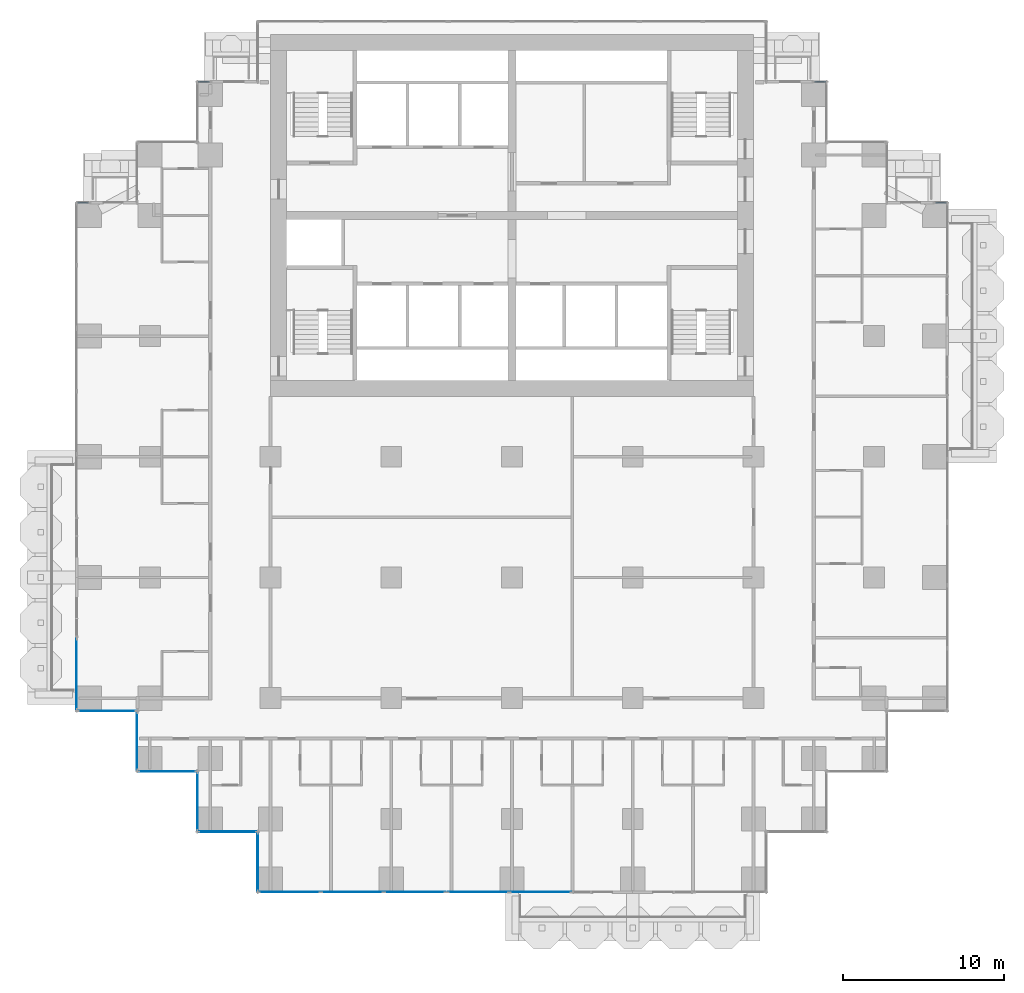
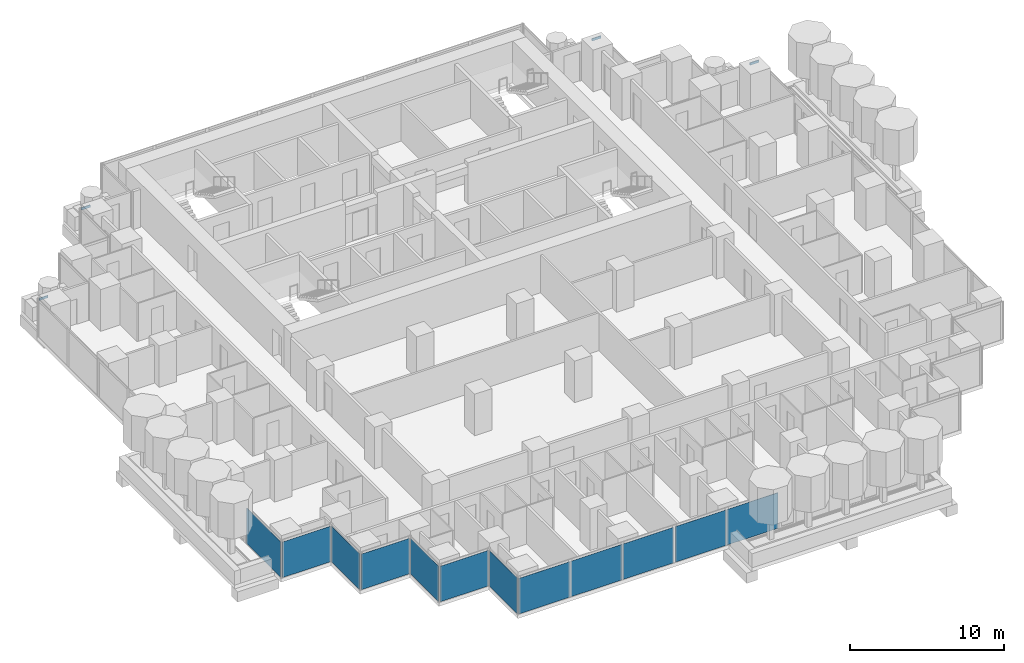
# One storey, part 7 of 19: 12 plates, 4 members, 13 elements without a shape of their own.
"""IFC4 building model written with IfcOpenShell, lengths in metres."""

from ifc_helpers import new_model, si_unit, direction, frame, origin, origin_2d, place, context, subcontext, project, spatial, rectangle, extrude, material, layer, layer_set, material_profile, profile_set, type_object, element, aggregate, save


model = new_model("IFC4")

# Units and contexts
model_context = context("Model", 3, precision=1e-05, world=origin(), true_north=direction((0.0, 1.0)))
body_context = subcontext(model_context, "Body", "Model", "MODEL_VIEW")
ifc_project = project(units=[si_unit("LENGTHUNIT", "METRE"), si_unit("AREAUNIT", "SQUARE_METRE"), si_unit("VOLUMEUNIT", "CUBIC_METRE"), si_unit("PLANEANGLEUNIT", "RADIAN"), si_unit("MASSUNIT", "GRAM", prefix="KILO")], contexts=[model_context])

# Site, building, storey
site_placement = place(None, origin())
site = spatial("IfcSite", under=ifc_project, at=site_placement, CompositionType="ELEMENT")
building_placement = place(site_placement, origin())
building = spatial("IfcBuilding", under=site, at=building_placement, Name="Pilkhan Gate Tower", CompositionType="ELEMENT")
storey_placement = place(building_placement, frame((0.0, 0.0, 72.5)))
storey = spatial("IfcBuildingStorey", under=building, at=storey_placement, Name="L16", CompositionType="ELEMENT", Elevation=72.5)

# Curtain wall, member
ifc_material_1 = material(Name="Pale anodised aluminium, clear low-iron double glazing", Category="aluminium")
curtain_wall_type = type_object("IfcCurtainWallType", Name="Hotel unitised curtain wall CW-H", PredefinedType="USERDEFINED", material=ifc_material_1)
curtain_wall_1_placement = place(storey_placement, origin())
curtain_wall_1 = element("IfcCurtainWall", 1, at=curtain_wall_1_placement, inside=storey, type_object=curtain_wall_type, Name="Hotel unitised curtain wall CW-H L16 N", ObjectType="UNITISED CURTAIN WALL", PredefinedType="USERDEFINED")
ifc_material_2 = material(Name="Pale anodised aluminium", Category="aluminium")
ifc_material_profile = material_profile(ifc_material_2, rectangle(XDim=0.06494140625, YDim=0.179931640625, at=origin_2d()), Name="Transom 180x65")
ifc_profile_set = profile_set([ifc_material_profile], Name="Pale anodised aluminium")
member_type = type_object("IfcMemberType", Name="Transom CW-H 180x65", PredefinedType="USERDEFINED", material=ifc_profile_set)
member_1_placement = place(storey_placement, frame((101.31494140625, 83.294921875, 2.909912109375), z_axis=(1.0, 0.0, 0.0), x_axis=(0.0, 1.0, 0.0)))
member_1 = element("IfcMember", 2, at=member_1_placement, type_object=member_type, Name="CW-H transom 1", ObjectType="TRANSOM", PredefinedType="USERDEFINED", context=body_context, shape_type="SweptSolid", body=[
    extrude(rectangle(XDim=0.06494140625, YDim=0.179931640625, at=origin_2d()), origin(), (0.0, 0.0, 1.0), 0.6650390625),
])
aggregate(curtain_wall_1, [member_1])

curtain_wall_2_placement = place(storey_placement, origin())
curtain_wall_2 = element("IfcCurtainWall", 3, at=curtain_wall_2_placement, inside=storey, type_object=curtain_wall_type, Name="Hotel unitised curtain wall CW-H L16 N", ObjectType="UNITISED CURTAIN WALL", PredefinedType="USERDEFINED")
member_2_placement = place(storey_placement, frame((93.81494140625, 90.794921875, 2.909912109375), z_axis=(1.0, 0.0, 0.0), x_axis=(0.0, 1.0, 0.0)))
member_2 = element("IfcMember", 4, at=member_2_placement, type_object=member_type, Name="CW-H transom 1", ObjectType="TRANSOM", PredefinedType="USERDEFINED", context=body_context, shape_type="SweptSolid", body=[
    extrude(rectangle(XDim=0.06494140625, YDim=0.179931640625, at=origin_2d()), origin(), (0.0, 0.0, 1.0), 0.6650390625),
])
aggregate(curtain_wall_2, [member_2])

curtain_wall_3_placement = place(storey_placement, origin())
curtain_wall_3 = element("IfcCurtainWall", 5, at=curtain_wall_3_placement, inside=storey, type_object=curtain_wall_type, Name="Hotel unitised curtain wall CW-H L16 N", ObjectType="UNITISED CURTAIN WALL", PredefinedType="USERDEFINED")
member_3_placement = place(storey_placement, frame((55.52001953125, 90.794921875, 2.909912109375), z_axis=(1.0, 0.0, 0.0), x_axis=(0.0, 1.0, 0.0)))
member_3 = element("IfcMember", 6, at=member_3_placement, type_object=member_type, Name="CW-H transom 1", ObjectType="TRANSOM", PredefinedType="USERDEFINED", context=body_context, shape_type="SweptSolid", body=[
    extrude(rectangle(XDim=0.06494140625, YDim=0.179931640625, at=origin_2d()), origin(), (0.0, 0.0, 1.0), 0.6650390625),
])
aggregate(curtain_wall_3, [member_3])

curtain_wall_4_placement = place(storey_placement, origin())
curtain_wall_4 = element("IfcCurtainWall", 7, at=curtain_wall_4_placement, inside=storey, type_object=curtain_wall_type, Name="Hotel unitised curtain wall CW-H L16 N", ObjectType="UNITISED CURTAIN WALL", PredefinedType="USERDEFINED")
member_4_placement = place(storey_placement, frame((48.02001953125, 83.294921875, 2.909912109375), z_axis=(1.0, 0.0, 0.0), x_axis=(0.0, 1.0, 0.0)))
member_4 = element("IfcMember", 8, at=member_4_placement, type_object=member_type, Name="CW-H transom 1", ObjectType="TRANSOM", PredefinedType="USERDEFINED", context=body_context, shape_type="SweptSolid", body=[
    extrude(rectangle(XDim=0.06494140625, YDim=0.179931640625, at=origin_2d()), origin(), (0.0, 0.0, 1.0), 0.6650390625),
])
aggregate(curtain_wall_4, [member_4])

# Curtain wall, plate
curtain_wall_5_placement = place(storey_placement, origin())
curtain_wall_5 = element("IfcCurtainWall", 9, at=curtain_wall_5_placement, inside=storey, type_object=curtain_wall_type, Name="Hotel unitised curtain wall CW-H L16 W", ObjectType="UNITISED CURTAIN WALL", PredefinedType="USERDEFINED")
ifc_material_3 = material(Name="Clear low-iron double glazing", Category="glass")
ifc_layer = layer(ifc_material_3, 0.035888671875)
ifc_layer_set = layer_set([ifc_layer], Name="Glass panel CW-H 36")
plate_type = type_object("IfcPlateType", Name="Glass panel CW-H 36", PredefinedType="CURTAIN_PANEL", material=ifc_layer_set)
plate_1_placement = place(storey_placement, frame((47.955078125, 53.9775390625, 0.0), z_axis=(0.0, 0.0, 1.0), x_axis=(0.0, 1.0, 0.0)))
plate_1 = element("IfcPlate", 10, at=plate_1_placement, type_object=plate_type, Name="CW-H panel 1", PredefinedType="CURTAIN_PANEL", context=body_context, shape_type="SweptSolid", body=[
    extrude(rectangle(XDim=4.4150390625, YDim=0.035888671875, at=origin_2d()), origin(), (0.0, 0.0, 1.0), 2.820068359375),
])
aggregate(curtain_wall_5, [plate_1])

curtain_wall_6_placement = place(storey_placement, origin())
curtain_wall_6 = element("IfcCurtainWall", 11, at=curtain_wall_6_placement, inside=storey, type_object=curtain_wall_type, Name="Hotel unitised curtain wall CW-H L16 S", ObjectType="UNITISED CURTAIN WALL", PredefinedType="USERDEFINED")
plate_2_placement = place(storey_placement, frame((49.830078125, 51.705078125, 0.0), z_axis=(0.0, 0.0, 1.0), x_axis=(1.0, 0.0, 0.0)))
plate_2 = element("IfcPlate", 12, at=plate_2_placement, type_object=plate_type, Name="CW-H panel 1", PredefinedType="CURTAIN_PANEL", context=body_context, shape_type="SweptSolid", body=[
    extrude(rectangle(XDim=3.6201171875, YDim=0.035888671875, at=origin_2d()), origin(), (0.0, 0.0, 1.0), 2.820068359375),
])
aggregate(curtain_wall_6, [plate_2])

curtain_wall_7_placement = place(storey_placement, origin())
curtain_wall_7 = element("IfcCurtainWall", 13, at=curtain_wall_7_placement, inside=storey, type_object=curtain_wall_type, Name="Hotel unitised curtain wall CW-H L16 W", ObjectType="UNITISED CURTAIN WALL", PredefinedType="USERDEFINED")
plate_3_placement = place(storey_placement, frame((51.705078125, 49.830078125, 0.0), z_axis=(0.0, 0.0, 1.0), x_axis=(0.0, 1.0, 0.0)))
plate_3 = element("IfcPlate", 14, at=plate_3_placement, type_object=plate_type, Name="CW-H panel 1", PredefinedType="CURTAIN_PANEL", context=body_context, shape_type="SweptSolid", body=[
    extrude(rectangle(XDim=3.6201171875, YDim=0.035888671875, at=origin_2d()), origin(), (0.0, 0.0, 1.0), 2.820068359375),
])
aggregate(curtain_wall_7, [plate_3])

curtain_wall_8_placement = place(storey_placement, origin())
curtain_wall_8 = element("IfcCurtainWall", 15, at=curtain_wall_8_placement, inside=storey, type_object=curtain_wall_type, Name="Hotel unitised curtain wall CW-H L16 S", ObjectType="UNITISED CURTAIN WALL", PredefinedType="USERDEFINED")
plate_4_placement = place(storey_placement, frame((53.580078125, 47.955078125, 0.0), z_axis=(0.0, 0.0, 1.0), x_axis=(1.0, 0.0, 0.0)))
plate_4 = element("IfcPlate", 16, at=plate_4_placement, type_object=plate_type, Name="CW-H panel 1", PredefinedType="CURTAIN_PANEL", context=body_context, shape_type="SweptSolid", body=[
    extrude(rectangle(XDim=3.6201171875, YDim=0.035888671875, at=origin_2d()), origin(), (0.0, 0.0, 1.0), 2.820068359375),
])
aggregate(curtain_wall_8, [plate_4])

curtain_wall_9_placement = place(storey_placement, origin())
curtain_wall_9 = element("IfcCurtainWall", 17, at=curtain_wall_9_placement, inside=storey, type_object=curtain_wall_type, Name="Hotel unitised curtain wall CW-H L16 W", ObjectType="UNITISED CURTAIN WALL", PredefinedType="USERDEFINED")
plate_5_placement = place(storey_placement, frame((55.455078125, 46.080078125, 0.0), z_axis=(0.0, 0.0, 1.0), x_axis=(0.0, 1.0, 0.0)))
plate_5 = element("IfcPlate", 18, at=plate_5_placement, type_object=plate_type, Name="CW-H panel 1", PredefinedType="CURTAIN_PANEL", context=body_context, shape_type="SweptSolid", body=[
    extrude(rectangle(XDim=3.6201171875, YDim=0.035888671875, at=origin_2d()), origin(), (0.0, 0.0, 1.0), 2.820068359375),
])
aggregate(curtain_wall_9, [plate_5])

curtain_wall_10_placement = place(storey_placement, origin())
curtain_wall_10 = element("IfcCurtainWall", 19, at=curtain_wall_10_placement, inside=storey, type_object=curtain_wall_type, Name="Hotel unitised curtain wall CW-H L16 S", ObjectType="UNITISED CURTAIN WALL", PredefinedType="USERDEFINED")
plate_6_placement = place(storey_placement, frame((57.330078125, 44.205078125, 0.0), z_axis=(0.0, 0.0, 1.0), x_axis=(1.0, 0.0, 0.0)))
plate_6 = element("IfcPlate", 20, at=plate_6_placement, type_object=plate_type, Name="CW-H panel 1", PredefinedType="CURTAIN_PANEL", context=body_context, shape_type="SweptSolid", body=[
    extrude(rectangle(XDim=3.6201171875, YDim=0.035888671875, at=origin_2d()), origin(), (0.0, 0.0, 1.0), 2.820068359375),
])
aggregate(curtain_wall_10, [plate_6])

curtain_wall_11_placement = place(storey_placement, origin())
curtain_wall_11 = element("IfcCurtainWall", 21, at=curtain_wall_11_placement, inside=storey, type_object=curtain_wall_type, Name="Hotel unitised curtain wall CW-H L16 W", ObjectType="UNITISED CURTAIN WALL", PredefinedType="USERDEFINED")
plate_7_placement = place(storey_placement, frame((59.205078125, 42.330078125, 0.0), z_axis=(0.0, 0.0, 1.0), x_axis=(0.0, 1.0, 0.0)))
plate_7 = element("IfcPlate", 22, at=plate_7_placement, type_object=plate_type, Name="CW-H panel 1", PredefinedType="CURTAIN_PANEL", context=body_context, shape_type="SweptSolid", body=[
    extrude(rectangle(XDim=3.6201171875, YDim=0.035888671875, at=origin_2d()), origin(), (0.0, 0.0, 1.0), 2.820068359375),
])
aggregate(curtain_wall_11, [plate_7])

# Curtain wall, plates
curtain_wall_12_placement = place(storey_placement, origin())
curtain_wall_12 = element("IfcCurtainWall", 23, at=curtain_wall_12_placement, inside=storey, type_object=curtain_wall_type, Name="Hotel unitised curtain wall CW-H L16 S", ObjectType="UNITISED CURTAIN WALL", PredefinedType="USERDEFINED")
plate_8_placement = place(storey_placement, frame((61.17578125, 40.455078125, 0.0), z_axis=(0.0, 0.0, 1.0), x_axis=(1.0, 0.0, 0.0)))
plate_8 = element("IfcPlate", 24, at=plate_8_placement, type_object=plate_type, Name="CW-H panel 1", PredefinedType="CURTAIN_PANEL", context=body_context, shape_type="SweptSolid", body=[
    extrude(rectangle(XDim=3.8115234375, YDim=0.035888671875, at=origin_2d()), origin(), (0.0, 0.0, 1.0), 2.820068359375),
])
plate_9_placement = place(storey_placement, frame((65.068603515625, 40.455078125, 0.0), z_axis=(0.0, 0.0, 1.0), x_axis=(1.0, 0.0, 0.0)))
plate_9 = element("IfcPlate", 25, at=plate_9_placement, type_object=plate_type, Name="CW-H panel 2", PredefinedType="CURTAIN_PANEL", context=body_context, shape_type="SweptSolid", body=[
    extrude(rectangle(XDim=3.843994140625, YDim=0.035888671875, at=origin_2d()), origin(), (0.0, 0.0, 1.0), 2.820068359375),
])
plate_10_placement = place(storey_placement, frame((68.961181640625, 40.455078125, 0.0), z_axis=(0.0, 0.0, 1.0), x_axis=(1.0, 0.0, 0.0)))
plate_10 = element("IfcPlate", 26, at=plate_10_placement, type_object=plate_type, Name="CW-H panel 3", PredefinedType="CURTAIN_PANEL", context=body_context, shape_type="SweptSolid", body=[
    extrude(rectangle(XDim=3.8115234375, YDim=0.035888671875, at=origin_2d()), origin(), (0.0, 0.0, 1.0), 2.820068359375),
])
aggregate(curtain_wall_12, [plate_8, plate_9, plate_10])

curtain_wall_13_placement = place(storey_placement, origin())
curtain_wall_13 = element("IfcCurtainWall", 27, at=curtain_wall_13_placement, inside=storey, type_object=curtain_wall_type, Name="Hotel unitised curtain wall CW-H L16 S", ObjectType="UNITISED CURTAIN WALL", PredefinedType="USERDEFINED")
plate_11_placement = place(storey_placement, frame((72.90283203125, 40.455078125, 0.0), z_axis=(0.0, 0.0, 1.0), x_axis=(1.0, 0.0, 0.0)))
plate_11 = element("IfcPlate", 28, at=plate_11_placement, type_object=plate_type, Name="CW-H panel 1", PredefinedType="CURTAIN_PANEL", context=body_context, shape_type="SweptSolid", body=[
    extrude(rectangle(XDim=3.8115234375, YDim=0.035888671875, at=origin_2d()), origin(), (0.0, 0.0, 1.0), 2.820068359375),
])
plate_12_placement = place(storey_placement, frame((76.779296875, 40.455078125, 0.0), z_axis=(0.0, 0.0, 1.0), x_axis=(1.0, 0.0, 0.0)))
plate_12 = element("IfcPlate", 29, at=plate_12_placement, type_object=plate_type, Name="CW-H panel 2", PredefinedType="CURTAIN_PANEL", context=body_context, shape_type="SweptSolid", body=[
    extrude(rectangle(XDim=3.8115234375, YDim=0.035888671875, at=origin_2d()), origin(), (0.0, 0.0, 1.0), 2.820068359375),
])
aggregate(curtain_wall_13, [plate_11, plate_12])

save(model, "model.ifc")
